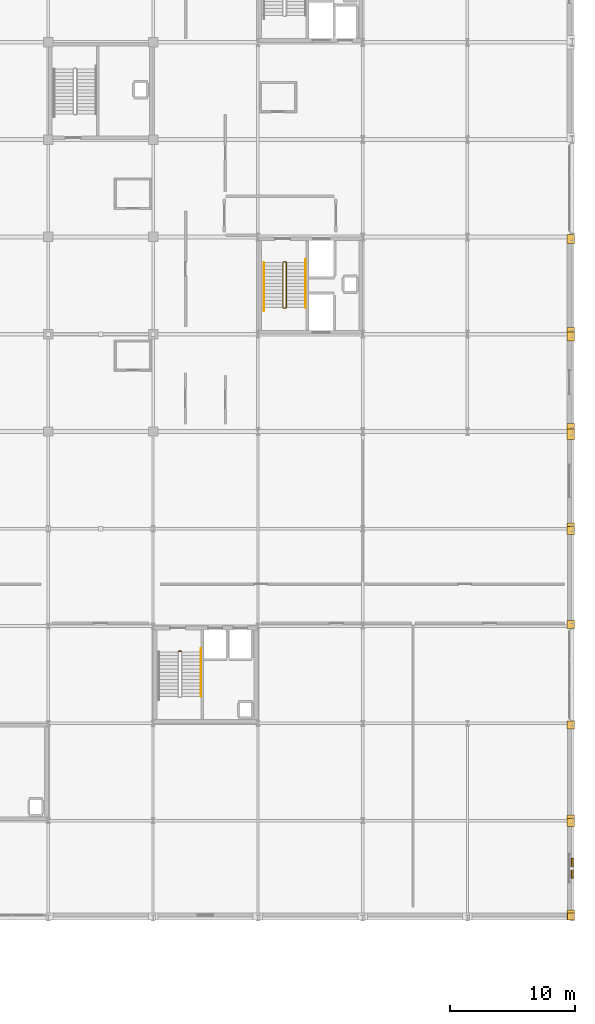
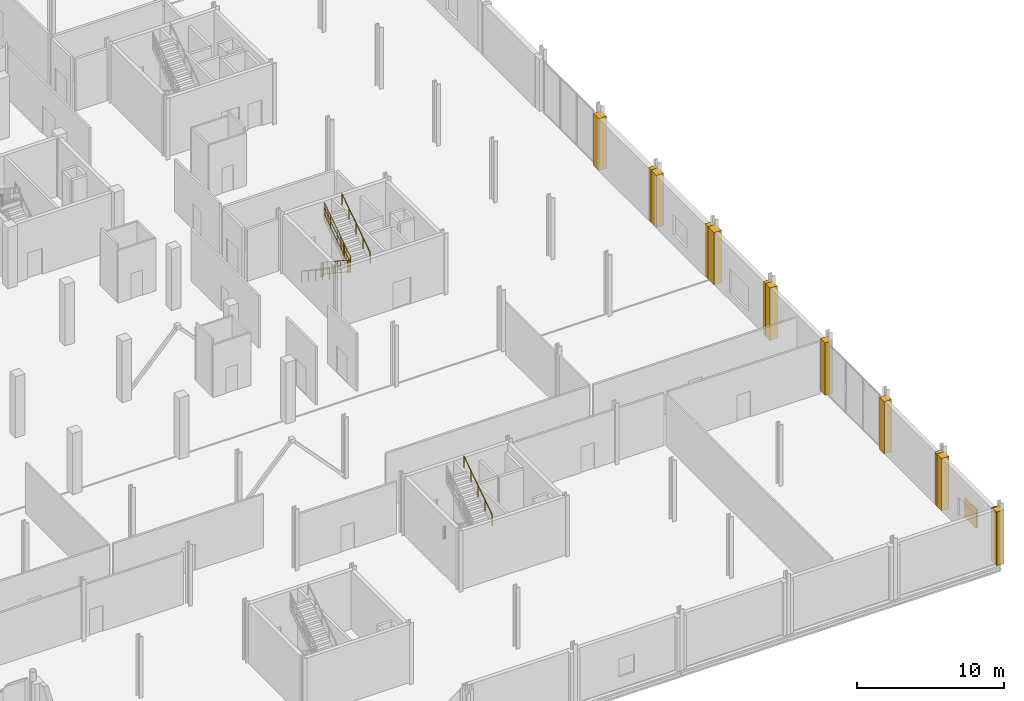
# One storey, part 103 of 105: 13 coverings, 8 railings, 1 shading device.
"""IFC4 building model written with IfcOpenShell, lengths in metres."""

from ifc_helpers import new_model, si_unit, direction, frame, origin, origin_2d, place, context, subcontext, project, spatial, polyline, rectangle, circle, outline, extrude, material, layer, layer_set, type_object, element, save


model = new_model("IFC4")

# Units and contexts
model_context = context("Model", 3, precision=1e-05, world=origin(), true_north=direction((0.0, 1.0)))
body_context = subcontext(model_context, "Body", "Model", "MODEL_VIEW")
ifc_project = project(units=[si_unit("LENGTHUNIT", "METRE"), si_unit("AREAUNIT", "SQUARE_METRE"), si_unit("VOLUMEUNIT", "CUBIC_METRE"), si_unit("PLANEANGLEUNIT", "RADIAN"), si_unit("MASSUNIT", "GRAM", prefix="KILO")], contexts=[model_context])

# Site, building, storey
site_placement = place(None, origin())
site = spatial("IfcSite", under=ifc_project, at=site_placement, CompositionType="ELEMENT")
building_placement = place(site_placement, origin())
building = spatial("IfcBuilding", under=site, at=building_placement, Name="Nabrawat Pavilion Hospital", CompositionType="ELEMENT")
storey_placement = place(building_placement, frame((0.0, 0.0, 5.10009765625)))
storey = spatial("IfcBuildingStorey", under=building, at=storey_placement, Name="L01", CompositionType="ELEMENT", Elevation=5.10009765625)

# Coverings
ifc_material_1 = material(Name="Precast concrete C40/50", Category="concrete")
ifc_layer_1 = layer(ifc_material_1, 0.360107421875, Name="Precast concrete C40/50")
ifc_layer_set_1 = layer_set([ifc_layer_1], Name="Precast concrete C40/50")
covering_type = type_object("IfcCoveringType", Name="Architectural Precast Column-Jamb Closure Reveal", PredefinedType="CLADDING", material=ifc_layer_set_1)
covering_1_placement = place(storey_placement, origin())
element("IfcCovering", 1, at=covering_1_placement, inside=storey, type_object=covering_type, Name="L01 Precast Facade Column-Jamb Weatherseal Closure 0256", PredefinedType="CLADDING", context=body_context, shape_type="SweptSolid", body=[
    extrude(outline(polyline([(193.3798828125, -0.179931640625), (193.3798828125, 0.39990234375), (192.820068359375, 0.39990234375), (192.820068359375, -0.179931640625), (193.3798828125, -0.179931640625)])), origin(), (0.0, 0.0, 1.0), 4.449951171875),
])
covering_2_placement = place(storey_placement, origin())
element("IfcCovering", 2, at=covering_2_placement, inside=storey, type_object=covering_type, Name="L01 Precast Facade Column-Jamb Weatherseal Closure 0273", PredefinedType="CLADDING", context=body_context, shape_type="SweptSolid", body=[
    extrude(outline(polyline([(193.3798828125, -0.179931640625), (193.3798828125, 0.6201171875), (192.800048828125, 0.6201171875), (192.800048828125, -0.179931640625), (193.3798828125, -0.179931640625)])), origin(), (0.0, 0.0, 1.0), 4.349853515625),
])
covering_3_placement = place(storey_placement, origin())
element("IfcCovering", 3, at=covering_3_placement, inside=storey, type_object=covering_type, Name="L01 Precast Facade Column-Jamb Weatherseal Closure 0274", PredefinedType="CLADDING", context=body_context, shape_type="SweptSolid", body=[
    extrude(outline(polyline([(193.3798828125, 7.344970703125), (193.3798828125, 7.97998046875), (192.800048828125, 7.97998046875), (192.800048828125, 7.344970703125), (193.3798828125, 7.344970703125)])), origin(), (0.0, 0.0, 1.0), 4.349853515625),
])
covering_4_placement = place(storey_placement, origin())
element("IfcCovering", 4, at=covering_4_placement, inside=storey, type_object=covering_type, Name="L01 Precast Facade Column-Jamb Weatherseal Closure 0275", PredefinedType="CLADDING", context=body_context, shape_type="SweptSolid", body=[
    extrude(outline(polyline([(193.3798828125, 7.6201171875), (193.3798828125, 8.2548828125), (192.800048828125, 8.2548828125), (192.800048828125, 7.6201171875), (193.3798828125, 7.6201171875)])), origin(), (0.0, 0.0, 1.0), 4.349853515625),
])
covering_5_placement = place(storey_placement, origin())
element("IfcCovering", 5, at=covering_5_placement, inside=storey, type_object=covering_type, Name="L01 Precast Facade Column-Jamb Weatherseal Closure 0276", PredefinedType="CLADDING", context=body_context, shape_type="SweptSolid", body=[
    extrude(outline(polyline([(193.3798828125, 15.14501953125), (193.3798828125, 15.780029296875), (192.800048828125, 15.780029296875), (192.800048828125, 15.14501953125), (193.3798828125, 15.14501953125)])), origin(), (0.0, 0.0, 1.0), 4.349853515625),
])
covering_6_placement = place(storey_placement, origin())
element("IfcCovering", 6, at=covering_6_placement, inside=storey, type_object=covering_type, Name="L01 Precast Facade Column-Jamb Weatherseal Closure 0277", PredefinedType="CLADDING", context=body_context, shape_type="SweptSolid", body=[
    extrude(outline(polyline([(193.3798828125, 23.219970703125), (193.3798828125, 23.85498046875), (192.800048828125, 23.85498046875), (192.800048828125, 23.219970703125), (193.3798828125, 23.219970703125)])), origin(), (0.0, 0.0, 1.0), 4.349853515625),
])
covering_7_placement = place(storey_placement, origin())
element("IfcCovering", 7, at=covering_7_placement, inside=storey, type_object=covering_type, Name="L01 Precast Facade Column-Jamb Weatherseal Closure 0278", PredefinedType="CLADDING", context=body_context, shape_type="SweptSolid", body=[
    extrude(outline(polyline([(193.3798828125, 30.7451171875), (193.3798828125, 31.3798828125), (192.800048828125, 31.3798828125), (192.800048828125, 30.7451171875), (193.3798828125, 30.7451171875)])), origin(), (0.0, 0.0, 1.0), 4.349853515625),
])
covering_8_placement = place(storey_placement, origin())
element("IfcCovering", 8, at=covering_8_placement, inside=storey, type_object=covering_type, Name="L01 Precast Facade Column-Jamb Weatherseal Closure 0279", PredefinedType="CLADDING", context=body_context, shape_type="SweptSolid", body=[
    extrude(outline(polyline([(193.3798828125, 31.02001953125), (193.3798828125, 31.655029296875), (192.800048828125, 31.655029296875), (192.800048828125, 31.02001953125), (193.3798828125, 31.02001953125)])), origin(), (0.0, 0.0, 1.0), 4.349853515625),
])
covering_9_placement = place(storey_placement, origin())
element("IfcCovering", 9, at=covering_9_placement, inside=storey, type_object=covering_type, Name="L01 Precast Facade Column-Jamb Weatherseal Closure 0280", PredefinedType="CLADDING", context=body_context, shape_type="SweptSolid", body=[
    extrude(outline(polyline([(193.3798828125, 38.364990234375), (193.3798828125, 39.195068359375), (192.800048828125, 39.195068359375), (192.800048828125, 38.364990234375), (193.3798828125, 38.364990234375)])), origin(), (0.0, 0.0, 1.0), 4.349853515625),
])
covering_10_placement = place(storey_placement, origin())
element("IfcCovering", 10, at=covering_10_placement, inside=storey, type_object=covering_type, Name="L01 Precast Facade Column-Jamb Weatherseal Closure 0281", PredefinedType="CLADDING", context=body_context, shape_type="SweptSolid", body=[
    extrude(outline(polyline([(193.3798828125, 38.804931640625), (193.3798828125, 39.635009765625), (192.800048828125, 39.635009765625), (192.800048828125, 38.804931640625), (193.3798828125, 38.804931640625)])), origin(), (0.0, 0.0, 1.0), 4.329833984375),
])
covering_11_placement = place(storey_placement, origin())
element("IfcCovering", 11, at=covering_11_placement, inside=storey, type_object=covering_type, Name="L01 Precast Facade Column-Jamb Weatherseal Closure 0282", PredefinedType="CLADDING", context=body_context, shape_type="SweptSolid", body=[
    extrude(outline(polyline([(193.3798828125, 46.2548828125), (193.3798828125, 46.9951171875), (192.800048828125, 46.9951171875), (192.800048828125, 46.2548828125), (193.3798828125, 46.2548828125)])), origin(), (0.0, 0.0, 1.0), 4.329833984375),
])
covering_12_placement = place(storey_placement, origin())
element("IfcCovering", 12, at=covering_12_placement, inside=storey, type_object=covering_type, Name="L01 Precast Facade Column-Jamb Weatherseal Closure 0283", PredefinedType="CLADDING", context=body_context, shape_type="SweptSolid", body=[
    extrude(outline(polyline([(193.3798828125, 46.60498046875), (193.3798828125, 47.344970703125), (192.800048828125, 47.344970703125), (192.800048828125, 46.60498046875), (193.3798828125, 46.60498046875)])), origin(), (0.0, 0.0, 1.0), 4.329833984375),
])
covering_13_placement = place(storey_placement, origin())
element("IfcCovering", 13, at=covering_13_placement, inside=storey, type_object=covering_type, Name="L01 Precast Facade Column-Jamb Weatherseal Closure 0284", PredefinedType="CLADDING", context=body_context, shape_type="SweptSolid", body=[
    extrude(outline(polyline([(193.3798828125, 54.054931640625), (193.3798828125, 54.794921875), (192.800048828125, 54.794921875), (192.800048828125, 54.054931640625), (193.3798828125, 54.054931640625)])), origin(), (0.0, 0.0, 1.0), 4.329833984375),
])

# Shading device
ifc_layer_2 = layer(ifc_material_1, 2.39990234375, Name="Precast concrete C40/50")
ifc_layer_set_2 = layer_set([ifc_layer_2], Name="Precast concrete C40/50")
shading_device_type = type_object("IfcShadingDeviceType", Name="Perforated GFRC Mashrabiya Solar Fin", PredefinedType="JALOUSIE", material=ifc_layer_set_2)
shading_device_placement = place(storey_placement, frame((193.2099609375, 3.982421875, 0.94970703125), z_axis=(0.0, 0.0, 1.0), x_axis=(0.0, 1.0, 0.0)))
element("IfcShadingDevice", 14, at=shading_device_placement, inside=storey, type_object=shading_device_type, Name="L01 Perforated GFRC Mashrabiya Screen 011", PredefinedType="JALOUSIE", context=body_context, shape_type="SweptSolid", body=[
    extrude(rectangle(XDim=1.60009765625, YDim=0.139892578125, at=origin_2d()), origin(), (0.0, 0.0, 1.0), 1.550048828125),
])

# Railings
ifc_material_2 = material(Name="Stainless Steel 316", Category="steel")
ifc_layer_3 = layer(ifc_material_2, 0.050048828125, Name="Stainless Steel 316")
ifc_layer_set_3 = layer_set([ifc_layer_3], Name="Stainless Steel 316")
railing_type_1 = type_object("IfcRailingType", Name="Stair Open-Well Safety Guardrail 1100", PredefinedType="GUARDRAIL", material=ifc_layer_set_3)
railing_1_placement = place(storey_placement, frame((161.64990234375, 21.3798828125, 0.0)))
element("IfcRailing", 15, at=railing_1_placement, inside=storey, type_object=railing_type_1, Name="L01 ST-04 stair guard 4", PredefinedType="GUARDRAIL", context=body_context, shape_type="SweptSolid", body=[
    extrude(circle(Radius=0.02392578125, at=origin_2d()), frame((0.0, 0.0, 1.076171875), z_axis=(1.0, 0.0, 0.0), x_axis=(0.0, 1.0, 0.0)), (0.0, 0.0, 1.0), 0.2001953125),
    extrude(circle(Radius=0.02392578125, at=origin_2d()), frame((0.0, 0.0, 0.10009765625), z_axis=(1.0, 0.0, 0.0), x_axis=(0.0, 1.0, 0.0)), (0.0, 0.0, 1.0), 0.2001953125),
    extrude(circle(Radius=0.02392578125, at=origin_2d()), frame((0.0, 0.0, 0.60498046875), z_axis=(1.0, 0.0, 0.0), x_axis=(0.0, 1.0, 0.0)), (0.0, 0.0, 1.0), 0.2001953125),
    extrude(circle(Radius=0.008056640625, at=origin_2d()), frame((0.10009765625, 0.0, 0.10009765625)), (0.0, 0.0, 1.0), 0.951904296875),
    extrude(circle(Radius=0.02099609375, at=origin_2d()), origin(), (0.0, 0.0, 1.0), 1.052001953125),
    extrude(circle(Radius=0.02099609375, at=origin_2d()), frame((0.2001953125, 0.0, 0.0)), (0.0, 0.0, 1.0), 1.052001953125),
])
railing_2_placement = place(storey_placement, frame((170.02490234375, 52.530029296875, 0.18212890625)))
element("IfcRailing", 16, at=railing_2_placement, inside=storey, type_object=railing_type_1, Name="L01 ST-05 stair guard 1", PredefinedType="GUARDRAIL", context=body_context, shape_type="SweptSolid", body=[
    extrude(circle(Radius=0.02392578125, at=origin_2d()), frame((0.0, 0.0, 1.076171875), z_axis=(0.0, -0.833728300892, 0.552174900092), x_axis=(1.0, 0.0, 0.0)), (0.0, 0.0, 1.0), 4.287841796875),
    extrude(circle(Radius=0.02392578125, at=origin_2d()), frame((0.0, 0.0, 0.10009765625), z_axis=(0.0, -0.833728300892, 0.552174900092), x_axis=(1.0, 0.0, 0.0)), (0.0, 0.0, 1.0), 4.287841796875),
    extrude(circle(Radius=0.02392578125, at=origin_2d()), frame((0.0, 0.0, 0.60498046875), z_axis=(0.0, -0.833728300892, 0.552174900092), x_axis=(1.0, 0.0, 0.0)), (0.0, 0.0, 1.0), 4.287841796875),
    extrude(circle(Radius=0.008056640625, at=origin_2d()), frame((0.0, -0.19873046875, 0.2314453125)), (0.0, 0.0, 1.0), 0.951904296875),
    extrude(circle(Radius=0.008056640625, at=origin_2d()), frame((0.0, -0.397216796875, 0.363037109375)), (0.0, 0.0, 1.0), 0.951904296875),
    extrude(circle(Radius=0.008056640625, at=origin_2d()), frame((0.0, -0.595703125, 0.49462890625)), (0.0, 0.0, 1.0), 0.951904296875),
    extrude(circle(Radius=0.008056640625, at=origin_2d()), frame((0.0, -0.79443359375, 0.626220703125)), (0.0, 0.0, 1.0), 0.951904296875),
    extrude(circle(Radius=0.008056640625, at=origin_2d()), frame((0.0, -0.9931640625, 0.757568359375)), (0.0, 0.0, 1.0), 0.951904296875),
    extrude(circle(Radius=0.008056640625, at=origin_2d()), frame((0.0, -1.191650390625, 0.88916015625)), (0.0, 0.0, 1.0), 0.951904296875),
    extrude(circle(Radius=0.008056640625, at=origin_2d()), frame((0.0, -1.39013671875, 1.020751953125)), (0.0, 0.0, 1.0), 0.951904296875),
    extrude(circle(Radius=0.008056640625, at=origin_2d()), frame((0.0, -1.5888671875, 1.15234375)), (0.0, 0.0, 1.0), 0.951904296875),
    extrude(circle(Radius=0.008056640625, at=origin_2d()), frame((0.0, -1.986083984375, 1.415283203125)), (0.0, 0.0, 1.0), 0.951904296875),
    extrude(circle(Radius=0.008056640625, at=origin_2d()), frame((0.0, -2.1845703125, 1.546875)), (0.0, 0.0, 1.0), 0.951904296875),
    extrude(circle(Radius=0.008056640625, at=origin_2d()), frame((0.0, -2.38330078125, 1.678466796875)), (0.0, 0.0, 1.0), 0.951904296875),
    extrude(circle(Radius=0.008056640625, at=origin_2d()), frame((0.0, -2.58203125, 1.81005859375)), (0.0, 0.0, 1.0), 0.951904296875),
    extrude(circle(Radius=0.008056640625, at=origin_2d()), frame((0.0, -2.780517578125, 1.94140625)), (0.0, 0.0, 1.0), 0.951904296875),
    extrude(circle(Radius=0.008056640625, at=origin_2d()), frame((0.0, -2.97900390625, 2.072998046875)), (0.0, 0.0, 1.0), 0.951904296875),
    extrude(circle(Radius=0.008056640625, at=origin_2d()), frame((0.0, -3.177734375, 2.20458984375)), (0.0, 0.0, 1.0), 0.951904296875),
    extrude(circle(Radius=0.008056640625, at=origin_2d()), frame((0.0, -3.37646484375, 2.336181640625)), (0.0, 0.0, 1.0), 0.951904296875),
    extrude(circle(Radius=0.02099609375, at=origin_2d()), origin(), (0.0, 0.0, 1.0), 1.052001953125),
    extrude(circle(Radius=0.02099609375, at=origin_2d()), frame((0.0, -0.893798828125, 0.591796875)), (0.0, 0.0, 1.0), 1.052001953125),
    extrude(circle(Radius=0.02099609375, at=origin_2d()), frame((0.0, -1.78759765625, 1.183837890625)), (0.0, 0.0, 1.0), 1.052001953125),
    extrude(circle(Radius=0.02099609375, at=origin_2d()), frame((0.0, -2.68115234375, 1.77587890625)), (0.0, 0.0, 1.0), 1.052001953125),
    extrude(circle(Radius=0.02099609375, at=origin_2d()), frame((0.0, -3.574951171875, 2.36767578125)), (0.0, 0.0, 1.0), 1.052001953125),
])
railing_3_placement = place(storey_placement, frame((170.050048828125, 48.905029296875, 2.5498046875)))
element("IfcRailing", 17, at=railing_3_placement, inside=storey, type_object=railing_type_1, Name="L01 ST-05 stair guard 2", PredefinedType="GUARDRAIL", context=body_context, shape_type="SweptSolid", body=[
    extrude(circle(Radius=0.02392578125, at=origin_2d()), frame((0.0, 0.0, 1.076171875), z_axis=(1.0, 0.0, 0.0), x_axis=(0.0, 1.0, 0.0)), (0.0, 0.0, 1.0), 0.199951171875),
    extrude(circle(Radius=0.02392578125, at=origin_2d()), frame((0.0, 0.0, 0.10009765625), z_axis=(1.0, 0.0, 0.0), x_axis=(0.0, 1.0, 0.0)), (0.0, 0.0, 1.0), 0.199951171875),
    extrude(circle(Radius=0.02392578125, at=origin_2d()), frame((0.0, 0.0, 0.60498046875), z_axis=(1.0, 0.0, 0.0), x_axis=(0.0, 1.0, 0.0)), (0.0, 0.0, 1.0), 0.199951171875),
    extrude(circle(Radius=0.008056640625, at=origin_2d()), frame((0.10009765625, 0.0, 0.10009765625)), (0.0, 0.0, 1.0), 0.951904296875),
    extrude(circle(Radius=0.02099609375, at=origin_2d()), origin(), (0.0, 0.0, 1.0), 1.052001953125),
    extrude(circle(Radius=0.02099609375, at=origin_2d()), frame((0.199951171875, 0.0, 0.0)), (0.0, 0.0, 1.0), 1.052001953125),
])
railing_4_placement = place(storey_placement, frame((170.27490234375, 48.955078125, 2.73193359375)))
element("IfcRailing", 18, at=railing_4_placement, inside=storey, type_object=railing_type_1, Name="L01 ST-05 stair guard 3", PredefinedType="GUARDRAIL", context=body_context, shape_type="SweptSolid", body=[
    extrude(circle(Radius=0.02392578125, at=origin_2d()), frame((0.0, 0.0, 1.076171875), z_axis=(0.0, 0.833702089047, 0.552214475289), x_axis=(-1.0, 0.0, 0.0)), (0.0, 0.0, 1.0), 4.2880859375),
    extrude(circle(Radius=0.02392578125, at=origin_2d()), frame((0.0, 0.0, 0.10009765625), z_axis=(0.0, 0.833702089047, 0.552214475289), x_axis=(-1.0, 0.0, 0.0)), (0.0, 0.0, 1.0), 4.2880859375),
    extrude(circle(Radius=0.02392578125, at=origin_2d()), frame((0.0, 0.0, 0.60498046875), z_axis=(0.0, 0.833702089047, 0.552214475289), x_axis=(-1.0, 0.0, 0.0)), (0.0, 0.0, 1.0), 4.2880859375),
    extrude(circle(Radius=0.008056640625, at=origin_2d()), frame((0.0, 0.19873046875, 0.2314453125)), (0.0, 0.0, 1.0), 0.951904296875),
    extrude(circle(Radius=0.008056640625, at=origin_2d()), frame((0.0, 0.397216796875, 0.363037109375)), (0.0, 0.0, 1.0), 0.951904296875),
    extrude(circle(Radius=0.008056640625, at=origin_2d()), frame((0.0, 0.595703125, 0.49462890625)), (0.0, 0.0, 1.0), 0.951904296875),
    extrude(circle(Radius=0.008056640625, at=origin_2d()), frame((0.0, 0.79443359375, 0.626220703125)), (0.0, 0.0, 1.0), 0.951904296875),
    extrude(circle(Radius=0.008056640625, at=origin_2d()), frame((0.0, 0.9931640625, 0.7578125)), (0.0, 0.0, 1.0), 0.951904296875),
    extrude(circle(Radius=0.008056640625, at=origin_2d()), frame((0.0, 1.191650390625, 0.889404296875)), (0.0, 0.0, 1.0), 0.951904296875),
    extrude(circle(Radius=0.008056640625, at=origin_2d()), frame((0.0, 1.39013671875, 1.020751953125)), (0.0, 0.0, 1.0), 0.951904296875),
    extrude(circle(Radius=0.008056640625, at=origin_2d()), frame((0.0, 1.5888671875, 1.15234375)), (0.0, 0.0, 1.0), 0.951904296875),
    extrude(circle(Radius=0.008056640625, at=origin_2d()), frame((0.0, 1.986083984375, 1.41552734375)), (0.0, 0.0, 1.0), 0.951904296875),
    extrude(circle(Radius=0.008056640625, at=origin_2d()), frame((0.0, 2.1845703125, 1.547119140625)), (0.0, 0.0, 1.0), 0.951904296875),
    extrude(circle(Radius=0.008056640625, at=origin_2d()), frame((0.0, 2.38330078125, 1.6787109375)), (0.0, 0.0, 1.0), 0.951904296875),
    extrude(circle(Radius=0.008056640625, at=origin_2d()), frame((0.0, 2.58203125, 1.81005859375)), (0.0, 0.0, 1.0), 0.951904296875),
    extrude(circle(Radius=0.008056640625, at=origin_2d()), frame((0.0, 2.780517578125, 1.941650390625)), (0.0, 0.0, 1.0), 0.951904296875),
    extrude(circle(Radius=0.008056640625, at=origin_2d()), frame((0.0, 2.97900390625, 2.0732421875)), (0.0, 0.0, 1.0), 0.951904296875),
    extrude(circle(Radius=0.008056640625, at=origin_2d()), frame((0.0, 3.177734375, 2.204833984375)), (0.0, 0.0, 1.0), 0.951904296875),
    extrude(circle(Radius=0.008056640625, at=origin_2d()), frame((0.0, 3.37646484375, 2.33642578125)), (0.0, 0.0, 1.0), 0.951904296875),
    extrude(circle(Radius=0.02099609375, at=origin_2d()), origin(), (0.0, 0.0, 1.0), 1.052001953125),
    extrude(circle(Radius=0.02099609375, at=origin_2d()), frame((0.0, 0.893798828125, 0.592041015625)), (0.0, 0.0, 1.0), 1.052001953125),
    extrude(circle(Radius=0.02099609375, at=origin_2d()), frame((0.0, 1.78759765625, 1.18408203125)), (0.0, 0.0, 1.0), 1.052001953125),
    extrude(circle(Radius=0.02099609375, at=origin_2d()), frame((0.0, 2.68115234375, 1.77587890625)), (0.0, 0.0, 1.0), 1.052001953125),
    extrude(circle(Radius=0.02099609375, at=origin_2d()), frame((0.0, 3.574951171875, 2.367919921875)), (0.0, 0.0, 1.0), 1.052001953125),
])
railing_5_placement = place(storey_placement, frame((170.050048828125, 52.580078125, 0.0)))
element("IfcRailing", 19, at=railing_5_placement, inside=storey, type_object=railing_type_1, Name="L01 ST-05 stair guard 4", PredefinedType="GUARDRAIL", context=body_context, shape_type="SweptSolid", body=[
    extrude(circle(Radius=0.02392578125, at=origin_2d()), frame((0.0, 0.0, 1.076171875), z_axis=(1.0, 0.0, 0.0), x_axis=(0.0, 1.0, 0.0)), (0.0, 0.0, 1.0), 0.199951171875),
    extrude(circle(Radius=0.02392578125, at=origin_2d()), frame((0.0, 0.0, 0.10009765625), z_axis=(1.0, 0.0, 0.0), x_axis=(0.0, 1.0, 0.0)), (0.0, 0.0, 1.0), 0.199951171875),
    extrude(circle(Radius=0.02392578125, at=origin_2d()), frame((0.0, 0.0, 0.60498046875), z_axis=(1.0, 0.0, 0.0), x_axis=(0.0, 1.0, 0.0)), (0.0, 0.0, 1.0), 0.199951171875),
    extrude(circle(Radius=0.008056640625, at=origin_2d()), frame((0.10009765625, 0.0, 0.10009765625)), (0.0, 0.0, 1.0), 0.951904296875),
    extrude(circle(Radius=0.02099609375, at=origin_2d()), origin(), (0.0, 0.0, 1.0), 1.052001953125),
    extrude(circle(Radius=0.02099609375, at=origin_2d()), frame((0.199951171875, 0.0, 0.0)), (0.0, 0.0, 1.0), 1.052001953125),
])
ifc_layer_4 = layer(ifc_material_2, 0.044921875, Name="Stainless Steel 316")
ifc_layer_set_4 = layer_set([ifc_layer_4], Name="Stainless Steel 316")
railing_type_2 = type_object("IfcRailingType", Name="Stair Pitch Continuous Handrail 920", PredefinedType="HANDRAIL", material=ifc_layer_set_4)
railing_6_placement = place(storey_placement, frame((163.425048828125, 17.7548828125, 2.736083984375)))
element("IfcRailing", 20, at=railing_6_placement, inside=storey, type_object=railing_type_2, Name="L01 ST-04 stair handrail 2", PredefinedType="HANDRAIL", context=body_context, shape_type="SweptSolid", body=[
    extrude(circle(Radius=0.02392578125, at=origin_2d()), frame((0.0, 0.0, 0.89599609375), z_axis=(0.0, 0.833713881912, 0.552196670677), x_axis=(-1.0, 0.0, 0.0)), (0.0, 0.0, 1.0), 4.617919921875),
    extrude(circle(Radius=0.02099609375, at=origin_2d()), origin(), (0.0, 0.0, 1.0), 0.871826171875),
    extrude(circle(Radius=0.02099609375, at=origin_2d()), frame((0.0, 0.96240234375, 0.637451171875)), (0.0, 0.0, 1.0), 0.871826171875),
    extrude(circle(Radius=0.02099609375, at=origin_2d()), frame((0.0, 1.925048828125, 1.27490234375)), (0.0, 0.0, 1.0), 0.871826171875),
    extrude(circle(Radius=0.02099609375, at=origin_2d()), frame((0.0, 2.8876953125, 1.91259765625)), (0.0, 0.0, 1.0), 0.871826171875),
    extrude(circle(Radius=0.02099609375, at=origin_2d()), frame((0.0, 3.85009765625, 2.550048828125)), (0.0, 0.0, 1.0), 0.871826171875),
])
railing_7_placement = place(storey_placement, frame((168.47509765625, 52.530029296875, 0.18603515625)))
element("IfcRailing", 21, at=railing_7_placement, inside=storey, type_object=railing_type_2, Name="L01 ST-05 stair handrail 1", PredefinedType="HANDRAIL", context=body_context, shape_type="SweptSolid", body=[
    extrude(circle(Radius=0.02392578125, at=origin_2d()), frame((0.0, 0.0, 0.89599609375), z_axis=(0.0, -0.833713881912, 0.552196670677), x_axis=(1.0, 0.0, 0.0)), (0.0, 0.0, 1.0), 4.617919921875),
    extrude(circle(Radius=0.02099609375, at=origin_2d()), origin(), (0.0, 0.0, 1.0), 0.871826171875),
    extrude(circle(Radius=0.02099609375, at=origin_2d()), frame((0.0, -0.96240234375, 0.637451171875)), (0.0, 0.0, 1.0), 0.871826171875),
    extrude(circle(Radius=0.02099609375, at=origin_2d()), frame((0.0, -1.925048828125, 1.27490234375)), (0.0, 0.0, 1.0), 0.871826171875),
    extrude(circle(Radius=0.02099609375, at=origin_2d()), frame((0.0, -2.8876953125, 1.91259765625)), (0.0, 0.0, 1.0), 0.871826171875),
    extrude(circle(Radius=0.02099609375, at=origin_2d()), frame((0.0, -3.85009765625, 2.550048828125)), (0.0, 0.0, 1.0), 0.871826171875),
])
railing_8_placement = place(storey_placement, frame((171.824951171875, 48.955078125, 2.736083984375)))
element("IfcRailing", 22, at=railing_8_placement, inside=storey, type_object=railing_type_2, Name="L01 ST-05 stair handrail 2", PredefinedType="HANDRAIL", context=body_context, shape_type="SweptSolid", body=[
    extrude(circle(Radius=0.02392578125, at=origin_2d()), frame((0.0, 0.0, 0.89599609375), z_axis=(0.0, 0.833697760554, 0.552221010146), x_axis=(-1.0, 0.0, 0.0)), (0.0, 0.0, 1.0), 4.617919921875),
    extrude(circle(Radius=0.02099609375, at=origin_2d()), origin(), (0.0, 0.0, 1.0), 0.871826171875),
    extrude(circle(Radius=0.02099609375, at=origin_2d()), frame((0.0, 0.96240234375, 0.637451171875)), (0.0, 0.0, 1.0), 0.871826171875),
    extrude(circle(Radius=0.02099609375, at=origin_2d()), frame((0.0, 1.9248046875, 1.27490234375)), (0.0, 0.0, 1.0), 0.871826171875),
    extrude(circle(Radius=0.02099609375, at=origin_2d()), frame((0.0, 2.887451171875, 1.91259765625)), (0.0, 0.0, 1.0), 0.871826171875),
    extrude(circle(Radius=0.02099609375, at=origin_2d()), frame((0.0, 3.849853515625, 2.550048828125)), (0.0, 0.0, 1.0), 0.871826171875),
])

save(model, "model.ifc")
